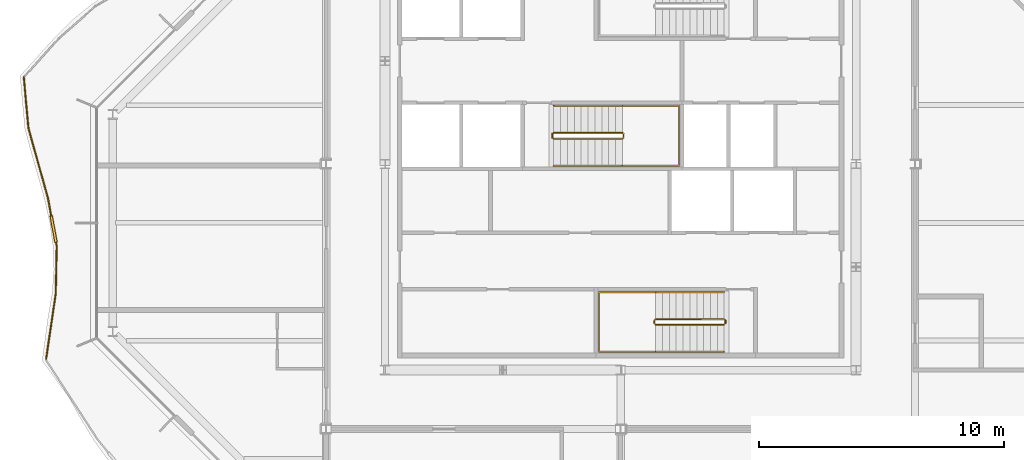
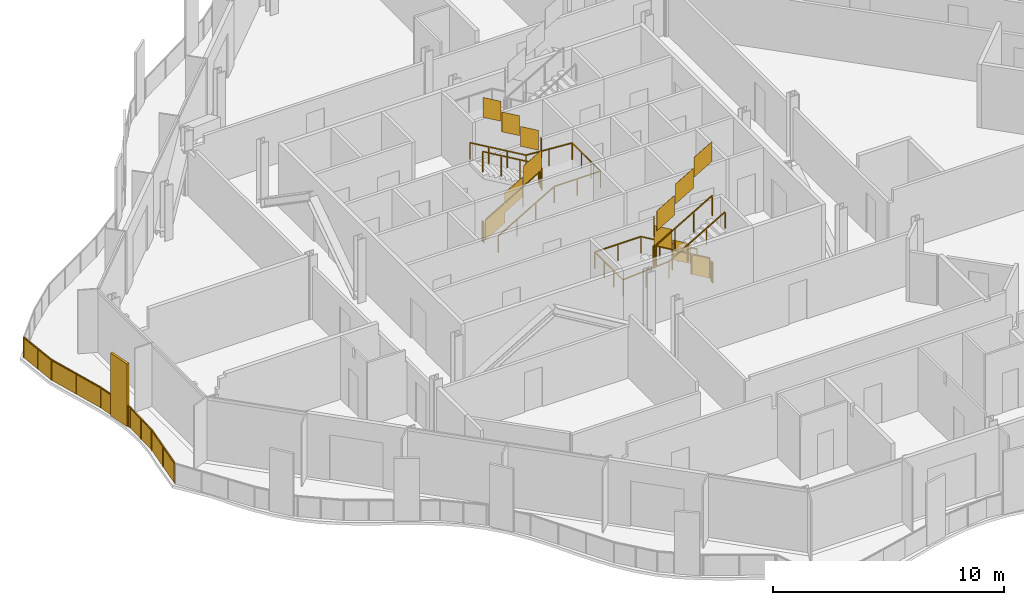
# One storey, part 14 of 17: 7 railings.
"""IFC4 building model written with IfcOpenShell, lengths in metres."""

import ifcopenshell
import ifcopenshell.guid

model = None  # the IFC model being written
_history = None  # IfcOwnerHistory: only IFC2X3 demands one
_inside = {}  # id of a spatial element -> (the spatial element, [elements in it])
_under = {}  # id of a project, library or spatial element -> (it, [spatial elements below it])
_declared = {}  # id of a project -> (the project, [libraries it declares])
_typed = {}  # id of a type object -> (the type object, [elements of that type])
_made_of = {}  # id of a material, layer set ... -> (it, [elements and type objects made of it])


def new_model(schema):
    """Start an empty IFC model of exactly this schema.

    Asked for "IFC4X3", IfcOpenShell would pick the latest addendum, in which some entities
    have other attributes; the version numbers below select the first issue.
    IFC2X3 requires an IfcOwnerHistory on every rooted entity: one is made here for all.
    """
    global model, _history
    if schema == "IFC4X3":
        model = ifcopenshell.file(schema_version=(4, 3, 0, 0))
    else:
        model = ifcopenshell.file(schema=schema)
    _inside.clear()
    _under.clear()
    _declared.clear()
    _typed.clear()
    _made_of.clear()
    _history = None
    if model.schema == "IFC2X3":
        org = make("IfcOrganization", Name="unknown")
        user = make(
            "IfcPersonAndOrganization",
            ThePerson=make("IfcPerson", FamilyName="unknown"),
            TheOrganization=org,
        )
        app = make(
            "IfcApplication",
            ApplicationDeveloper=org,
            Version="unknown",
            ApplicationFullName="unknown",
            ApplicationIdentifier="unknown",
        )
        _history = make(
            "IfcOwnerHistory",
            OwningUser=user,
            OwningApplication=app,
            ChangeAction="ADDED",
            CreationDate=0,
        )
    return model


def make(cls, **values):
    """One entity of the class cls with the attributes given. An attribute that is None is left unset."""
    return model.create_entity(
        cls, **{name: value for name, value in values.items() if value is not None}
    )


def rooted(cls, **values):
    """An entity with a GlobalId (a new one), such as an element, a storey or a relation."""
    return make(cls, GlobalId=ifcopenshell.guid.new(), OwnerHistory=_history, **values)


def si_unit(unit_type, name, prefix=None):
    """IfcSIUnit, for example si_unit("LENGTHUNIT", "METRE", prefix="MILLI")."""
    return make("IfcSIUnit", UnitType=unit_type, Prefix=prefix, Name=name)


def assignment(units):
    """IfcUnitAssignment: the units of a project."""
    return None if units is None else make("IfcUnitAssignment", Units=units)


def point(xyz):
    """IfcCartesianPoint."""
    return None if xyz is None else make("IfcCartesianPoint", Coordinates=xyz)


def direction(xyz):
    """IfcDirection."""
    return None if xyz is None else make("IfcDirection", DirectionRatios=xyz)


def frame(location, z_axis=None, x_axis=None):
    """IfcAxis2Placement3D, a coordinate frame: its origin and axes. An axis left out is left unset."""
    return make(
        "IfcAxis2Placement3D",
        Location=point(location),
        Axis=direction(z_axis),
        RefDirection=direction(x_axis),
    )


def frame_2d(location, x_axis=None):
    """IfcAxis2Placement2D, a coordinate frame in the plane: its origin and x axis."""
    return make(
        "IfcAxis2Placement2D", Location=point(location), RefDirection=direction(x_axis)
    )


def origin():
    """The frame at (0, 0, 0) with its axes left unset."""
    return frame((0.0, 0.0, 0.0))


def origin_2d():
    """The frame at (0, 0) in the plane with its x axis left unset."""
    return frame_2d((0.0, 0.0))


def place(relative_to, where):
    """IfcLocalPlacement: puts the frame where relative to a parent placement (None: the world)."""
    return make(
        "IfcLocalPlacement", PlacementRelTo=relative_to, RelativePlacement=where
    )


def context(
    kind, dimensions, precision=None, world=None, true_north=None, identifier=None
):
    """IfcGeometricRepresentationContext, for example the 3D "Model" context."""
    return make(
        "IfcGeometricRepresentationContext",
        ContextIdentifier=identifier,
        ContextType=kind,
        CoordinateSpaceDimension=dimensions,
        Precision=precision,
        WorldCoordinateSystem=world,
        TrueNorth=true_north,
    )


def subcontext(parent, identifier, kind, view, scale=None):
    """IfcGeometricRepresentationSubContext, for example "Body" below "Model"."""
    return make(
        "IfcGeometricRepresentationSubContext",
        ContextIdentifier=identifier,
        ContextType=kind,
        ParentContext=parent,
        TargetScale=scale,
        TargetView=view,
    )


def project(units=None, contexts=None):
    """IfcProject with its units and contexts."""
    return rooted(
        "IfcProject",
        Name="project",
        RepresentationContexts=contexts,
        UnitsInContext=assignment(units),
    )


def spatial(cls, under=None, at=None, **own):
    """A site, building, storey or space (cls), placed at a placement, below another one or the project."""
    s = rooted(cls, ObjectPlacement=at, **own)
    if under is not None:
        _under.setdefault(under.id(), (under, []))[1].append(s)
    return s


def polyline(points):
    """IfcPolyline through the points."""
    return make("IfcPolyline", Points=[point(p) for p in points])


def profile(cls, at=None, kind="AREA", **sizes):
    """A parametric profile (cls). Its sizes go by their IFC names, for example OverallWidth=200.0."""
    return make(cls, ProfileType=kind, Position=at, **sizes)


def rectangle(**sizes):
    """IfcRectangleProfileDef."""
    return profile("IfcRectangleProfileDef", **sizes)


def outline(outer, holes=None, kind="AREA"):
    """IfcArbitraryClosedProfileDef: a profile drawn as a closed curve; with holes, ...WithVoids."""
    if holes is None:
        return make("IfcArbitraryClosedProfileDef", ProfileType=kind, OuterCurve=outer)
    return make(
        "IfcArbitraryProfileDefWithVoids",
        ProfileType=kind,
        OuterCurve=outer,
        InnerCurves=holes,
    )


def extrude(swept, where, along, depth):
    """IfcExtrudedAreaSolid: the profile swept, set in the frame where, extruded along a direction by depth."""
    return make(
        "IfcExtrudedAreaSolid",
        SweptArea=swept,
        Position=where,
        ExtrudedDirection=direction(along),
        Depth=depth,
    )


def shape(context_of_items, identifier, shape_type, items):
    """IfcShapeRepresentation: the items that make up one representation, for example the "Body"."""
    return make(
        "IfcShapeRepresentation",
        ContextOfItems=context_of_items,
        RepresentationIdentifier=identifier,
        RepresentationType=shape_type,
        Items=items,
    )


def material(Name=None, Category=None):
    """IfcMaterial."""
    return make("IfcMaterial", Name=Name, Category=Category)


def made_of(thing, what):
    """Note that an element or type object is made of a material, layer set ...; save() writes the relation."""
    if what is not None:
        _made_of.setdefault(what.id(), (what, []))[1].append(thing)
    return thing


def type_object(cls, material=None, **own):
    """A type object (cls), such as IfcWallType, which elements share."""
    return made_of(rooted(cls, **own), material)


def element(
    cls,
    number,
    at=None,
    inside=None,
    cuts=None,
    type_object=None,
    material=None,
    context=None,
    identifier="Body",
    shape_type=None,
    held_by="IfcProductDefinitionShape",
    body=None,
    shapes=None,
    **own,
):
    """One element of the class cls, such as IfcWall. Its Tag is "e" and its number.

    at: its placement. inside: the storey or other place that contains it. cuts: it is an
    opening in that element (IfcRelVoidsElement). A single representation is given by context,
    identifier, shape_type and body (its items); several are given by shapes. held_by: the class
    of the entity that holds the representations. save() writes the other relations.
    """
    e = rooted(cls, Tag="e%d" % number, ObjectPlacement=at, **own)
    if body is not None:
        shapes = [shape(context, identifier, shape_type, body)]
    if shapes is not None:
        e.Representation = make(held_by, Representations=shapes)
    if inside is not None:
        _inside.setdefault(inside.id(), (inside, []))[1].append(e)
    if cuts is not None:
        rooted(
            "IfcRelVoidsElement", RelatingBuildingElement=cuts, RelatedOpeningElement=e
        )
    if type_object is not None:
        _typed.setdefault(type_object.id(), (type_object, []))[1].append(e)
    return made_of(e, material)


def aggregate(whole, parts):
    """IfcRelAggregates: a whole, such as a stair, and the parts it consists of."""
    return rooted("IfcRelAggregates", RelatingObject=whole, RelatedObjects=parts)


def save(model, path):
    """Write the relations noted so far, then the file.

    IfcRelAggregates (storeys below a building ...), IfcRelContainedInSpatialStructure (elements
    in a storey), IfcRelDefinesByType, IfcRelAssociatesMaterial and IfcRelDeclares: one each for
    every whole, place, type object, material and project.
    """
    for whole, parts in _under.values():
        aggregate(whole, parts)
    for where, things in _inside.values():
        rooted(
            "IfcRelContainedInSpatialStructure",
            RelatedElements=things,
            RelatingStructure=where,
        )
    for kind, things in _typed.values():
        rooted("IfcRelDefinesByType", RelatedObjects=things, RelatingType=kind)
    for what, things in _made_of.values():
        rooted("IfcRelAssociatesMaterial", RelatedObjects=things, RelatingMaterial=what)
    for by, libraries in _declared.values():
        rooted("IfcRelDeclares", RelatingContext=by, RelatedDefinitions=libraries)
    model.write(path)


model = new_model("IFC4")

# Units and contexts
model_context = context("Model", 3, precision=1e-05, world=origin(), true_north=direction((0.0, 1.0)))
body_context = subcontext(model_context, "Body", "Model", "MODEL_VIEW")
ifc_project = project(units=[si_unit("LENGTHUNIT", "METRE"), si_unit("AREAUNIT", "SQUARE_METRE"), si_unit("VOLUMEUNIT", "CUBIC_METRE"), si_unit("PLANEANGLEUNIT", "RADIAN"), si_unit("MASSUNIT", "GRAM", prefix="KILO")], contexts=[model_context])

# Site, building, storey
site_placement = place(None, origin())
site = spatial("IfcSite", under=ifc_project, at=site_placement, CompositionType="ELEMENT")
building_placement = place(site_placement, origin())
building = spatial("IfcBuilding", under=site, at=building_placement, Name="Cairn Pilgrim Tower", CompositionType="ELEMENT")
storey_placement = place(building_placement, frame((0.0, 0.0, 257.39990234375)))
storey = spatial("IfcBuildingStorey", under=building, at=storey_placement, Name="L66", CompositionType="ELEMENT", Elevation=257.39990234375)

# Railings
ifc_material_1 = material(Name="Bronze anodised aluminium rail, posts and fin screens with laminated glass infill", Category="aluminium")
railing_type_1 = type_object("IfcRailingType", Name="BALCONY GUARD WITH FIN SCREENS", PredefinedType="GUARDRAIL", material=ifc_material_1)
railing_1_placement = place(storey_placement, frame((-17.125, 5.94091796875, 0.0)))
element("IfcRailing", 1, at=railing_1_placement, inside=storey, type_object=railing_type_1, Name="Balcony guard BGF-7 with fin screens", PredefinedType="GUARDRAIL", context=body_context, shape_type="SweptSolid", body=[
    extrude(rectangle(XDim=0.050048828125, YDim=0.050048828125, at=origin_2d()), frame((0.0, 0.0, 1.0751953125), z_axis=(0.089700508569, -0.99596878403, 0.0), x_axis=(0.99596878403, 0.089700508569, 0.0)), (0.0, 0.0, 1.0), 2.08203125),
    extrude(rectangle(XDim=0.050048828125, YDim=0.050048828125, at=origin_2d()), frame((0.186767578125, -2.07373046875, 1.0751953125), z_axis=(0.268445787799, -0.963294793411, 0.0), x_axis=(0.963294793411, 0.268445787799, 0.0)), (0.0, 0.0, 1.0), 2.98291015625),
    extrude(rectangle(XDim=1.10009765625, YDim=0.110107421875, at=origin_2d()), frame((1.21533203125, -6.2001953125, 0.0), z_axis=(0.0, 0.0, 1.0), x_axis=(0.178765682425, -0.983891676348, 0.0)), (0.0, 0.0, 1.0), 3.300048828125),
    extrude(rectangle(XDim=0.050048828125, YDim=0.050048828125, at=origin_2d()), frame((0.987548828125, -4.947265625, 1.0751953125), z_axis=(0.178765682425, -0.983891676348, 0.0), x_axis=(0.983891676348, 0.178765682425, 0.0)), (0.0, 0.0, 1.0), 0.7236328125),
    extrude(rectangle(XDim=0.050048828125, YDim=0.050048828125, at=origin_2d()), frame((1.3134765625, -6.741455078125, 1.0751953125), z_axis=(0.178765682425, -0.983891676348, 0.0), x_axis=(0.983891676348, 0.178765682425, 0.0)), (0.0, 0.0, 1.0), 0.14990234375),
    extrude(rectangle(XDim=0.050048828125, YDim=0.050048828125, at=origin_2d()), frame((1.34033203125, -6.888916015625, 1.0751953125), z_axis=(-0.020209305606, -0.999795771129, 0.0), x_axis=(0.999795771129, -0.020209305606, 0.0)), (0.0, 0.0, 1.0), 1.945068359375),
    extrude(rectangle(XDim=0.050048828125, YDim=0.050048828125, at=origin_2d()), frame((1.301025390625, -8.83349609375, 1.0751953125), z_axis=(-0.146349262135, -0.989232982402, 0.0), x_axis=(0.989232982402, -0.146349262135, 0.0)), (0.0, 0.0, 1.0), 2.662353515625),
    extrude(rectangle(XDim=0.050048828125, YDim=0.050048828125, at=origin_2d()), origin(), (0.0, 0.0, 1.0), 1.050048828125),
    extrude(rectangle(XDim=0.050048828125, YDim=0.050048828125, at=origin_2d()), frame((0.09326171875, -1.036865234375, 0.0)), (0.0, 0.0, 1.0), 1.050048828125),
    extrude(rectangle(XDim=0.050048828125, YDim=0.050048828125, at=origin_2d()), frame((0.186767578125, -2.07373046875, 0.0)), (0.0, 0.0, 1.0), 1.050048828125),
    extrude(rectangle(XDim=0.050048828125, YDim=0.050048828125, at=origin_2d()), frame((0.587158203125, -3.510498046875, 0.0)), (0.0, 0.0, 1.0), 1.050048828125),
    extrude(rectangle(XDim=0.050048828125, YDim=0.050048828125, at=origin_2d()), frame((0.987548828125, -4.947265625, 0.0)), (0.0, 0.0, 1.0), 1.050048828125),
    extrude(rectangle(XDim=0.050048828125, YDim=0.050048828125, at=origin_2d()), frame((1.1123046875, -5.634521484375, 0.0)), (0.0, 0.0, 1.0), 1.050048828125),
    extrude(rectangle(XDim=0.050048828125, YDim=0.050048828125, at=origin_2d()), frame((1.318115234375, -6.76611328125, 0.0)), (0.0, 0.0, 1.0), 1.050048828125),
    extrude(rectangle(XDim=0.050048828125, YDim=0.050048828125, at=origin_2d()), frame((1.34033203125, -6.888916015625, 0.0)), (0.0, 0.0, 1.0), 1.050048828125),
    extrude(rectangle(XDim=0.050048828125, YDim=0.050048828125, at=origin_2d()), frame((1.32080078125, -7.861328125, 0.0)), (0.0, 0.0, 1.0), 1.050048828125),
    extrude(rectangle(XDim=0.050048828125, YDim=0.050048828125, at=origin_2d()), frame((1.301025390625, -8.83349609375, 0.0)), (0.0, 0.0, 1.0), 1.050048828125),
    extrude(rectangle(XDim=0.050048828125, YDim=0.050048828125, at=origin_2d()), frame((1.106201171875, -10.150390625, 0.0)), (0.0, 0.0, 1.0), 1.050048828125),
    extrude(rectangle(XDim=0.050048828125, YDim=0.050048828125, at=origin_2d()), frame((0.911376953125, -11.46728515625, 0.0)), (0.0, 0.0, 1.0), 1.050048828125),
    extrude(outline(polyline([(0.02490234375, 0.0), (1.01611328125, 0.0), (1.01611328125, 1.050048828125), (0.02490234375, 1.050048828125), (0.02490234375, 0.0)])), frame((0.005859375, 0.00048828125, 0.0), z_axis=(-0.99596878403, -0.089700508569, 0.0), x_axis=(0.089700508569, -0.99596878403, 0.0)), (0.0, 0.0, 1.0), 0.011962890625),
    extrude(outline(polyline([(0.02490234375, 0.0), (1.01611328125, 0.0), (1.01611328125, 1.050048828125), (0.02490234375, 1.050048828125), (0.02490234375, 0.0)])), frame((0.099365234375, -1.036376953125, 0.0), z_axis=(-0.99596878403, -0.089700508569, 0.0), x_axis=(0.089700508569, -0.99596878403, 0.0)), (0.0, 0.0, 1.0), 0.011962890625),
    extrude(outline(polyline([(0.02490234375, 0.0), (1.466552734375, 0.0), (1.466552734375, 1.050048828125), (0.02490234375, 1.050048828125), (0.02490234375, 0.0)])), frame((0.192626953125, -2.072021484375, 0.0), z_axis=(-0.963294793411, -0.268445787799, 0.0), x_axis=(0.268445787799, -0.963294793411, 0.0)), (0.0, 0.0, 1.0), 0.011962890625),
    extrude(outline(polyline([(0.02490234375, 0.0), (1.466552734375, 0.0), (1.466552734375, 1.050048828125), (0.02490234375, 1.050048828125), (0.02490234375, 0.0)])), frame((0.593017578125, -3.5087890625, 0.0), z_axis=(-0.963294793411, -0.268445787799, 0.0), x_axis=(0.268445787799, -0.963294793411, 0.0)), (0.0, 0.0, 1.0), 0.011962890625),
    extrude(outline(polyline([(0.02490234375, 0.0), (0.673583984375, 0.0), (0.673583984375, 1.050048828125), (0.02490234375, 1.050048828125), (0.02490234375, 0.0)])), frame((0.993408203125, -4.9462890625, 0.0), z_axis=(-0.983891676348, -0.178765682425, 0.0), x_axis=(0.178765682425, -0.983891676348, 0.0)), (0.0, 0.0, 1.0), 0.011962890625),
    extrude(outline(polyline([(0.02490234375, 0.0), (0.099853515625, 0.0), (0.099853515625, 1.050048828125), (0.02490234375, 1.050048828125), (0.02490234375, 0.0)])), frame((1.323974609375, -6.764892578125, 0.0), z_axis=(-0.983891676348, -0.178765682425, 0.0), x_axis=(0.178765682425, -0.983891676348, 0.0)), (0.0, 0.0, 1.0), 0.011962890625),
    extrude(outline(polyline([(0.02490234375, 0.0), (0.947509765625, 0.0), (0.947509765625, 1.050048828125), (0.02490234375, 1.050048828125), (0.02490234375, 0.0)])), frame((1.34619140625, -6.888916015625, 0.0), z_axis=(-0.999795771129, 0.020209305606, 0.0), x_axis=(-0.020209305606, -0.999795771129, 0.0)), (0.0, 0.0, 1.0), 0.011962890625),
    extrude(outline(polyline([(0.02490234375, 0.0), (0.947509765625, 0.0), (0.947509765625, 1.050048828125), (0.02490234375, 1.050048828125), (0.02490234375, 0.0)])), frame((1.32666015625, -7.861328125, 0.0), z_axis=(-0.999795771129, 0.020209305606, 0.0), x_axis=(-0.020209305606, -0.999795771129, 0.0)), (0.0, 0.0, 1.0), 0.011962890625),
    extrude(outline(polyline([(0.02490234375, 0.0), (1.30615234375, 0.0), (1.30615234375, 1.050048828125), (0.02490234375, 1.050048828125), (0.02490234375, 0.0)])), frame((1.306884765625, -8.83447265625, 0.0), z_axis=(-0.989232982402, 0.146349262135, 0.0), x_axis=(-0.146349262135, -0.989232982402, 0.0)), (0.0, 0.0, 1.0), 0.011962890625),
    extrude(outline(polyline([(0.02490234375, 0.0), (1.30615234375, 0.0), (1.30615234375, 1.050048828125), (0.02490234375, 1.050048828125), (0.02490234375, 0.0)])), frame((1.112060546875, -10.1513671875, 0.0), z_axis=(-0.989232982402, 0.146349262135, 0.0), x_axis=(-0.146349262135, -0.989232982402, 0.0)), (0.0, 0.0, 1.0), 0.011962890625),
])
ifc_material_2 = material(Name="Painted steel", Category="steel")
railing_type_2 = type_object("IfcRailingType", Name="STAIR GUARD 1100", PredefinedType="GUARDRAIL", material=ifc_material_2)
railing_2_placement = place(storey_placement, frame((11.425048828125, -3.925048828125, 0.163818359375)))
element("IfcRailing", 2, at=railing_2_placement, inside=storey, type_object=railing_type_2, Name="L66 ST-A stair guard 1", PredefinedType="GUARDRAIL", context=body_context, shape_type="SweptSolid", body=[
    extrude(rectangle(XDim=0.048095703125, YDim=0.048095703125, at=origin_2d()), frame((0.0, 0.0, 1.076171875), z_axis=(-0.863393664356, 0.0, 0.504530851732), x_axis=(0.0, -1.0, 0.0)), (0.0, 0.0, 1.0), 3.2431640625),
    extrude(rectangle(XDim=0.048095703125, YDim=0.048095703125, at=origin_2d()), frame((-2.800048828125, 0.0, 2.71240234375), z_axis=(-0.707106781187, -0.707106781187, 0.0), x_axis=(0.707106781187, -0.707106781187, 0.0)), (0.0, 0.0, 1.0), 0.07080078125),
    extrude(rectangle(XDim=0.048095703125, YDim=0.048095703125, at=origin_2d()), frame((-2.85009765625, -0.050048828125, 2.71240234375), z_axis=(0.0, -1.0, 0.0), x_axis=(1.0, 0.0, 0.0)), (0.0, 0.0, 1.0), 0.125),
    extrude(rectangle(XDim=0.048095703125, YDim=0.048095703125, at=origin_2d()), frame((-2.85009765625, -0.175048828125, 2.71240234375), z_axis=(0.280916556609, -0.279546231943, 0.91811752648), x_axis=(0.705375805398, 0.708833529934, 0.0)), (0.0, 0.0, 1.0), 0.17822265625),
    extrude(rectangle(XDim=0.048095703125, YDim=0.048095703125, at=origin_2d()), frame((-2.800048828125, -0.224853515625, 2.8759765625), z_axis=(0.863360870873, 0.0, 0.504586966384), x_axis=(0.0, 1.0, 0.0)), (0.0, 0.0, 1.0), 3.2431640625),
    extrude(rectangle(XDim=0.0419921875, YDim=0.0419921875, at=origin_2d()), origin(), (0.0, 0.0, 1.0), 1.052001953125),
    extrude(rectangle(XDim=0.0419921875, YDim=0.0419921875, at=origin_2d()), frame((-0.933349609375, 0.0, 0.54541015625)), (0.0, 0.0, 1.0), 1.052001953125),
    extrude(rectangle(XDim=0.0419921875, YDim=0.0419921875, at=origin_2d()), frame((-1.86669921875, 0.0, 1.0908203125)), (0.0, 0.0, 1.0), 1.052001953125),
    extrude(rectangle(XDim=0.0419921875, YDim=0.0419921875, at=origin_2d()), frame((-2.800048828125, 0.0, 1.63623046875)), (0.0, 0.0, 1.0), 1.052001953125),
    extrude(rectangle(XDim=0.0419921875, YDim=0.0419921875, at=origin_2d()), frame((-2.85009765625, -0.050048828125, 1.63623046875)), (0.0, 0.0, 1.0), 1.052001953125),
    extrude(rectangle(XDim=0.0419921875, YDim=0.0419921875, at=origin_2d()), frame((-2.85009765625, -0.175048828125, 1.63623046875)), (0.0, 0.0, 1.0), 1.052001953125),
    extrude(rectangle(XDim=0.0419921875, YDim=0.0419921875, at=origin_2d()), frame((-2.800048828125, -0.224853515625, 1.7998046875)), (0.0, 0.0, 1.0), 1.052001953125),
    extrude(rectangle(XDim=0.0419921875, YDim=0.0419921875, at=origin_2d()), frame((-1.86669921875, -0.224853515625, 2.34521484375)), (0.0, 0.0, 1.0), 1.052001953125),
    extrude(rectangle(XDim=0.0419921875, YDim=0.0419921875, at=origin_2d()), frame((-0.933349609375, -0.224853515625, 2.890869140625)), (0.0, 0.0, 1.0), 1.052001953125),
    extrude(rectangle(XDim=0.0419921875, YDim=0.0419921875, at=origin_2d()), frame((0.0, -0.224853515625, 3.436279296875)), (0.0, 0.0, 1.0), 1.052001953125),
    extrude(outline(polyline([(0.02099609375, 0.01220703125), (0.912353515625, 0.533203125), (0.912353515625, 1.585205078125), (0.02099609375, 1.064208984375), (0.02099609375, 0.01220703125)])), frame((0.0, -0.005859375, 0.0), z_axis=(0.0, 1.0, 0.0), x_axis=(-1.0, 0.0, 0.0)), (0.0, 0.0, 1.0), 0.011962890625),
    extrude(outline(polyline([(0.02099609375, 0.5576171875), (0.912353515625, 1.07861328125), (0.912353515625, 2.130615234375), (0.02099609375, 1.609619140625), (0.02099609375, 0.5576171875)])), frame((-0.933349609375, -0.005859375, 0.54541015625), z_axis=(0.0, 1.0, 0.0), x_axis=(-1.0, 0.0, 0.0)), (0.0, 0.0, 1.0), 0.011962890625),
    extrude(outline(polyline([(0.02099609375, 1.10302734375), (0.912353515625, 1.6240234375), (0.912353515625, 2.676025390625), (0.02099609375, 2.155029296875), (0.02099609375, 1.10302734375)])), frame((-1.86669921875, -0.005859375, 1.0908203125), z_axis=(0.0, 1.0, 0.0), x_axis=(-1.0, 0.0, 0.0)), (0.0, 0.0, 1.0), 0.011962890625),
    extrude(outline(polyline([(0.02099609375, 1.63623046875), (0.10400390625, 1.63623046875), (0.10400390625, 2.688232421875), (0.02099609375, 2.688232421875), (0.02099609375, 1.63623046875)])), frame((-2.84423828125, -0.050048828125, 1.63623046875), z_axis=(-1.0, 0.0, 0.0), x_axis=(0.0, -1.0, 0.0)), (0.0, 0.0, 1.0), 0.011962890625),
    extrude(outline(polyline([(0.02099609375, 1.81201171875), (0.912353515625, 2.3330078125), (0.912353515625, 3.385009765625), (0.02099609375, 2.864013671875), (0.02099609375, 1.81201171875)])), frame((-2.800048828125, -0.21875, 1.7998046875), z_axis=(0.0, -1.0, 0.0), x_axis=(1.0, 0.0, 0.0)), (0.0, 0.0, 1.0), 0.011962890625),
    extrude(outline(polyline([(0.02099609375, 2.357666015625), (0.912353515625, 2.87841796875), (0.912353515625, 3.930419921875), (0.02099609375, 3.40966796875), (0.02099609375, 2.357666015625)])), frame((-1.86669921875, -0.21875, 2.34521484375), z_axis=(0.0, -1.0, 0.0), x_axis=(1.0, 0.0, 0.0)), (0.0, 0.0, 1.0), 0.011962890625),
    extrude(outline(polyline([(0.02099609375, 2.903076171875), (0.912353515625, 3.424072265625), (0.912353515625, 4.47607421875), (0.02099609375, 3.955078125), (0.02099609375, 2.903076171875)])), frame((-0.933349609375, -0.21875, 2.890869140625), z_axis=(0.0, -1.0, 0.0), x_axis=(1.0, 0.0, 0.0)), (0.0, 0.0, 1.0), 0.011962890625),
])
railing_3_placement = place(storey_placement, frame((11.47509765625, -3.97509765625, 0.0)))
element("IfcRailing", 3, at=railing_3_placement, inside=storey, type_object=railing_type_2, Name="L66 ST-A stair guard 2", PredefinedType="GUARDRAIL", context=body_context, shape_type="SweptSolid", body=[
    extrude(rectangle(XDim=0.048095703125, YDim=0.048095703125, at=origin_2d()), frame((0.0, 0.0, 1.076171875), z_axis=(0.0, -1.0, 0.0), x_axis=(1.0, 0.0, 0.0)), (0.0, 0.0, 1.0), 0.125),
    extrude(rectangle(XDim=0.0419921875, YDim=0.0419921875, at=origin_2d()), origin(), (0.0, 0.0, 1.0), 1.052001953125),
    extrude(rectangle(XDim=0.0419921875, YDim=0.0419921875, at=origin_2d()), frame((0.0, -0.125, 0.0)), (0.0, 0.0, 1.0), 1.052001953125),
    extrude(outline(polyline([(0.02099609375, 0.0), (0.10400390625, 0.0), (0.10400390625, 1.052001953125), (0.02099609375, 1.052001953125), (0.02099609375, 0.0)])), frame((0.005859375, 0.0, 0.0), z_axis=(-1.0, 0.0, 0.0), x_axis=(0.0, -1.0, 0.0)), (0.0, 0.0, 1.0), 0.011962890625),
])
railing_4_placement = place(storey_placement, frame((4.47509765625, 3.425048828125, 0.163818359375)))
element("IfcRailing", 4, at=railing_4_placement, inside=storey, type_object=railing_type_2, Name="L66 ST-B stair guard 1", PredefinedType="GUARDRAIL", context=body_context, shape_type="SweptSolid", body=[
    extrude(rectangle(XDim=0.048095703125, YDim=0.048095703125, at=origin_2d()), frame((0.0, 0.0, 1.076171875), z_axis=(0.863374499697, 0.0, 0.504563646405), x_axis=(0.0, 1.0, 0.0)), (0.0, 0.0, 1.0), 3.242919921875),
    extrude(rectangle(XDim=0.048095703125, YDim=0.048095703125, at=origin_2d()), frame((2.7998046875, 0.0, 2.71240234375), z_axis=(0.707106781187, 0.707106781187, 0.0), x_axis=(-0.707106781187, 0.707106781187, 0.0)), (0.0, 0.0, 1.0), 0.07080078125),
    extrude(rectangle(XDim=0.048095703125, YDim=0.048095703125, at=origin_2d()), frame((2.849853515625, 0.050048828125, 2.71240234375), z_axis=(0.0, 1.0, 0.0), x_axis=(-1.0, 0.0, 0.0)), (0.0, 0.0, 1.0), 0.14990234375),
    extrude(rectangle(XDim=0.048095703125, YDim=0.048095703125, at=origin_2d()), frame((2.849853515625, 0.199951171875, 2.71240234375), z_axis=(-0.280808744504, 0.280808744504, 0.917765164963), x_axis=(-0.707106781187, -0.707106781187, 0.0)), (0.0, 0.0, 1.0), 0.17822265625),
    extrude(rectangle(XDim=0.048095703125, YDim=0.048095703125, at=origin_2d()), frame((2.7998046875, 0.25, 2.8759765625), z_axis=(-0.863341702679, 0.0, 0.504619762213), x_axis=(0.0, -1.0, 0.0)), (0.0, 0.0, 1.0), 3.242919921875),
    extrude(rectangle(XDim=0.0419921875, YDim=0.0419921875, at=origin_2d()), origin(), (0.0, 0.0, 1.0), 1.052001953125),
    extrude(rectangle(XDim=0.0419921875, YDim=0.0419921875, at=origin_2d()), frame((0.933349609375, 0.0, 0.54541015625)), (0.0, 0.0, 1.0), 1.052001953125),
    extrude(rectangle(XDim=0.0419921875, YDim=0.0419921875, at=origin_2d()), frame((1.866455078125, 0.0, 1.0908203125)), (0.0, 0.0, 1.0), 1.052001953125),
    extrude(rectangle(XDim=0.0419921875, YDim=0.0419921875, at=origin_2d()), frame((2.7998046875, 0.0, 1.63623046875)), (0.0, 0.0, 1.0), 1.052001953125),
    extrude(rectangle(XDim=0.0419921875, YDim=0.0419921875, at=origin_2d()), frame((2.849853515625, 0.050048828125, 1.63623046875)), (0.0, 0.0, 1.0), 1.052001953125),
    extrude(rectangle(XDim=0.0419921875, YDim=0.0419921875, at=origin_2d()), frame((2.849853515625, 0.199951171875, 1.63623046875)), (0.0, 0.0, 1.0), 1.052001953125),
    extrude(rectangle(XDim=0.0419921875, YDim=0.0419921875, at=origin_2d()), frame((2.7998046875, 0.25, 1.7998046875)), (0.0, 0.0, 1.0), 1.052001953125),
    extrude(rectangle(XDim=0.0419921875, YDim=0.0419921875, at=origin_2d()), frame((1.866455078125, 0.25, 2.34521484375)), (0.0, 0.0, 1.0), 1.052001953125),
    extrude(rectangle(XDim=0.0419921875, YDim=0.0419921875, at=origin_2d()), frame((0.933349609375, 0.25, 2.890869140625)), (0.0, 0.0, 1.0), 1.052001953125),
    extrude(rectangle(XDim=0.0419921875, YDim=0.0419921875, at=origin_2d()), frame((0.0, 0.25, 3.436279296875)), (0.0, 0.0, 1.0), 1.052001953125),
    extrude(outline(polyline([(0.02099609375, 0.01220703125), (0.912353515625, 0.533203125), (0.912353515625, 1.585205078125), (0.02099609375, 1.064208984375), (0.02099609375, 0.01220703125)])), frame((0.0, 0.005859375, 0.0), z_axis=(0.0, -1.0, 0.0), x_axis=(1.0, 0.0, 0.0)), (0.0, 0.0, 1.0), 0.011962890625),
    extrude(outline(polyline([(0.02099609375, 0.5576171875), (0.912353515625, 1.07861328125), (0.912353515625, 2.130615234375), (0.02099609375, 1.609619140625), (0.02099609375, 0.5576171875)])), frame((0.933349609375, 0.005859375, 0.54541015625), z_axis=(0.0, -1.0, 0.0), x_axis=(1.0, 0.0, 0.0)), (0.0, 0.0, 1.0), 0.011962890625),
    extrude(outline(polyline([(0.02099609375, 1.10302734375), (0.912353515625, 1.6240234375), (0.912353515625, 2.676025390625), (0.02099609375, 2.155029296875), (0.02099609375, 1.10302734375)])), frame((1.866455078125, 0.005859375, 1.0908203125), z_axis=(0.0, -1.0, 0.0), x_axis=(1.0, 0.0, 0.0)), (0.0, 0.0, 1.0), 0.011962890625),
    extrude(outline(polyline([(0.02099609375, 1.63623046875), (0.12890625, 1.63623046875), (0.12890625, 2.688232421875), (0.02099609375, 2.688232421875), (0.02099609375, 1.63623046875)])), frame((2.84375, 0.050048828125, 1.63623046875), z_axis=(1.0, 0.0, 0.0), x_axis=(0.0, 1.0, 0.0)), (0.0, 0.0, 1.0), 0.011962890625),
    extrude(outline(polyline([(0.02099609375, 1.81201171875), (0.912353515625, 2.3330078125), (0.912353515625, 3.385009765625), (0.02099609375, 2.864013671875), (0.02099609375, 1.81201171875)])), frame((2.7998046875, 0.244140625, 1.7998046875), z_axis=(0.0, 1.0, 0.0), x_axis=(-1.0, 0.0, 0.0)), (0.0, 0.0, 1.0), 0.011962890625),
    extrude(outline(polyline([(0.02099609375, 2.357666015625), (0.912353515625, 2.87841796875), (0.912353515625, 3.930419921875), (0.02099609375, 3.40966796875), (0.02099609375, 2.357666015625)])), frame((1.866455078125, 0.244140625, 2.34521484375), z_axis=(0.0, 1.0, 0.0), x_axis=(-1.0, 0.0, 0.0)), (0.0, 0.0, 1.0), 0.011962890625),
    extrude(outline(polyline([(0.02099609375, 2.903076171875), (0.912353515625, 3.424072265625), (0.912353515625, 4.47607421875), (0.02099609375, 3.955078125), (0.02099609375, 2.903076171875)])), frame((0.933349609375, 0.244140625, 2.890869140625), z_axis=(0.0, 1.0, 0.0), x_axis=(-1.0, 0.0, 0.0)), (0.0, 0.0, 1.0), 0.011962890625),
])
railing_5_placement = place(storey_placement, frame((4.425048828125, 3.47509765625, 0.0)))
element("IfcRailing", 5, at=railing_5_placement, inside=storey, type_object=railing_type_2, Name="L66 ST-B stair guard 2", PredefinedType="GUARDRAIL", context=body_context, shape_type="SweptSolid", body=[
    extrude(rectangle(XDim=0.048095703125, YDim=0.048095703125, at=origin_2d()), frame((0.0, 0.0, 1.076171875), z_axis=(0.0, 1.0, 0.0), x_axis=(-1.0, 0.0, 0.0)), (0.0, 0.0, 1.0), 0.14990234375),
    extrude(rectangle(XDim=0.0419921875, YDim=0.0419921875, at=origin_2d()), origin(), (0.0, 0.0, 1.0), 1.052001953125),
    extrude(rectangle(XDim=0.0419921875, YDim=0.0419921875, at=origin_2d()), frame((0.0, 0.14990234375, 0.0)), (0.0, 0.0, 1.0), 1.052001953125),
    extrude(outline(polyline([(0.02099609375, 0.0), (0.12890625, 0.0), (0.12890625, 1.052001953125), (0.02099609375, 1.052001953125), (0.02099609375, 0.0)])), frame((-0.005859375, 0.0, 0.0), z_axis=(1.0, 0.0, 0.0), x_axis=(0.0, 1.0, 0.0)), (0.0, 0.0, 1.0), 0.011962890625),
])
railing_type_3 = type_object("IfcRailingType", Name="STAIR HANDRAIL 900", PredefinedType="HANDRAIL", material=ifc_material_2)
railing_6_placement = place(storey_placement, frame((11.425048828125, -2.824951171875, 0.163818359375)))
element("IfcRailing", 6, at=railing_6_placement, inside=storey, type_object=railing_type_3, Name="L66 ST-A stair handrail 1", PredefinedType="HANDRAIL", context=body_context, shape_type="SweptSolid", body=[
    extrude(rectangle(XDim=0.048095703125, YDim=0.048095703125, at=origin_2d()), frame((0.0, 0.0, 0.8759765625), z_axis=(-0.863393664356, 0.0, 0.504530851732), x_axis=(0.0, -1.0, 0.0)), (0.0, 0.0, 1.0), 3.2431640625),
    extrude(rectangle(XDim=0.048095703125, YDim=0.048095703125, at=origin_2d()), frame((-2.800048828125, 0.0, 2.51220703125), z_axis=(-1.0, 0.0, 0.0), x_axis=(0.0, -1.0, 0.0)), (0.0, 0.0, 1.0), 2.300048828125),
    extrude(rectangle(XDim=0.048095703125, YDim=0.048095703125, at=origin_2d()), frame((-5.10009765625, 0.0, 2.51220703125), z_axis=(0.0, -1.0, 0.0), x_axis=(1.0, 0.0, 0.0)), (0.0, 0.0, 1.0), 2.425048828125),
    extrude(rectangle(XDim=0.048095703125, YDim=0.048095703125, at=origin_2d()), frame((-5.10009765625, -2.425048828125, 2.51220703125), z_axis=(0.997480687736, 0.0, 0.070938548008), x_axis=(0.0, 1.0, 0.0)), (0.0, 0.0, 1.0), 2.305908203125),
    extrude(rectangle(XDim=0.048095703125, YDim=0.048095703125, at=origin_2d()), frame((-2.800048828125, -2.425048828125, 2.67578125), z_axis=(0.863360870873, 0.0, 0.504586966384), x_axis=(0.0, 1.0, 0.0)), (0.0, 0.0, 1.0), 3.2431640625),
    extrude(rectangle(XDim=0.0419921875, YDim=0.0419921875, at=origin_2d()), origin(), (0.0, 0.0, 1.0), 0.851806640625),
    extrude(rectangle(XDim=0.0419921875, YDim=0.0419921875, at=origin_2d()), frame((-0.933349609375, 0.0, 0.54541015625)), (0.0, 0.0, 1.0), 0.851806640625),
    extrude(rectangle(XDim=0.0419921875, YDim=0.0419921875, at=origin_2d()), frame((-1.86669921875, 0.0, 1.0908203125)), (0.0, 0.0, 1.0), 0.851806640625),
    extrude(rectangle(XDim=0.0419921875, YDim=0.0419921875, at=origin_2d()), frame((-2.800048828125, 0.0, 1.63623046875)), (0.0, 0.0, 1.0), 0.851806640625),
    extrude(rectangle(XDim=0.0419921875, YDim=0.0419921875, at=origin_2d()), frame((-3.9501953125, 0.0, 1.63623046875)), (0.0, 0.0, 1.0), 0.851806640625),
    extrude(rectangle(XDim=0.0419921875, YDim=0.0419921875, at=origin_2d()), frame((-5.10009765625, 0.0, 1.63623046875)), (0.0, 0.0, 1.0), 0.851806640625),
    extrude(rectangle(XDim=0.0419921875, YDim=0.0419921875, at=origin_2d()), frame((-5.10009765625, -0.808349609375, 1.63623046875)), (0.0, 0.0, 1.0), 0.851806640625),
    extrude(rectangle(XDim=0.0419921875, YDim=0.0419921875, at=origin_2d()), frame((-5.10009765625, -1.61669921875, 1.63623046875)), (0.0, 0.0, 1.0), 0.851806640625),
    extrude(rectangle(XDim=0.0419921875, YDim=0.0419921875, at=origin_2d()), frame((-5.10009765625, -2.425048828125, 1.63623046875)), (0.0, 0.0, 1.0), 0.851806640625),
    extrude(rectangle(XDim=0.0419921875, YDim=0.0419921875, at=origin_2d()), frame((-3.9501953125, -2.425048828125, 1.718017578125)), (0.0, 0.0, 1.0), 0.851806640625),
    extrude(rectangle(XDim=0.0419921875, YDim=0.0419921875, at=origin_2d()), frame((-2.800048828125, -2.425048828125, 1.7998046875)), (0.0, 0.0, 1.0), 0.851806640625),
    extrude(rectangle(XDim=0.0419921875, YDim=0.0419921875, at=origin_2d()), frame((-1.86669921875, -2.425048828125, 2.34521484375)), (0.0, 0.0, 1.0), 0.851806640625),
    extrude(rectangle(XDim=0.0419921875, YDim=0.0419921875, at=origin_2d()), frame((-0.933349609375, -2.425048828125, 2.890869140625)), (0.0, 0.0, 1.0), 0.851806640625),
    extrude(rectangle(XDim=0.0419921875, YDim=0.0419921875, at=origin_2d()), frame((0.0, -2.425048828125, 3.436279296875)), (0.0, 0.0, 1.0), 0.851806640625),
])
railing_7_placement = place(storey_placement, frame((4.47509765625, 2.324951171875, 0.163818359375)))
element("IfcRailing", 7, at=railing_7_placement, inside=storey, type_object=railing_type_3, Name="L66 ST-B stair handrail 1", PredefinedType="HANDRAIL", context=body_context, shape_type="SweptSolid", body=[
    extrude(rectangle(XDim=0.048095703125, YDim=0.048095703125, at=origin_2d()), frame((0.0, 0.0, 0.8759765625), z_axis=(0.863374499697, 0.0, 0.504563646405), x_axis=(0.0, 1.0, 0.0)), (0.0, 0.0, 1.0), 3.242919921875),
    extrude(rectangle(XDim=0.048095703125, YDim=0.048095703125, at=origin_2d()), frame((2.7998046875, 0.0, 2.51220703125), z_axis=(1.0, 0.0, 0.0), x_axis=(0.0, 1.0, 0.0)), (0.0, 0.0, 1.0), 2.300048828125),
    extrude(rectangle(XDim=0.048095703125, YDim=0.048095703125, at=origin_2d()), frame((5.099853515625, 0.0, 2.51220703125), z_axis=(0.0, 1.0, 0.0), x_axis=(-1.0, 0.0, 0.0)), (0.0, 0.0, 1.0), 2.449951171875),
    extrude(rectangle(XDim=0.048095703125, YDim=0.048095703125, at=origin_2d()), frame((5.099853515625, 2.449951171875, 2.51220703125), z_axis=(-0.997480687736, 0.0, 0.070938548008), x_axis=(0.0, -1.0, 0.0)), (0.0, 0.0, 1.0), 2.305908203125),
    extrude(rectangle(XDim=0.048095703125, YDim=0.048095703125, at=origin_2d()), frame((2.7998046875, 2.449951171875, 2.67578125), z_axis=(-0.863341702679, 0.0, 0.504619762213), x_axis=(0.0, -1.0, 0.0)), (0.0, 0.0, 1.0), 3.242919921875),
    extrude(rectangle(XDim=0.0419921875, YDim=0.0419921875, at=origin_2d()), origin(), (0.0, 0.0, 1.0), 0.851806640625),
    extrude(rectangle(XDim=0.0419921875, YDim=0.0419921875, at=origin_2d()), frame((0.933349609375, 0.0, 0.54541015625)), (0.0, 0.0, 1.0), 0.851806640625),
    extrude(rectangle(XDim=0.0419921875, YDim=0.0419921875, at=origin_2d()), frame((1.866455078125, 0.0, 1.0908203125)), (0.0, 0.0, 1.0), 0.851806640625),
    extrude(rectangle(XDim=0.0419921875, YDim=0.0419921875, at=origin_2d()), frame((2.7998046875, 0.0, 1.63623046875)), (0.0, 0.0, 1.0), 0.851806640625),
    extrude(rectangle(XDim=0.0419921875, YDim=0.0419921875, at=origin_2d()), frame((3.94970703125, 0.0, 1.63623046875)), (0.0, 0.0, 1.0), 0.851806640625),
    extrude(rectangle(XDim=0.0419921875, YDim=0.0419921875, at=origin_2d()), frame((5.099853515625, 0.0, 1.63623046875)), (0.0, 0.0, 1.0), 0.851806640625),
    extrude(rectangle(XDim=0.0419921875, YDim=0.0419921875, at=origin_2d()), frame((5.099853515625, 0.816650390625, 1.63623046875)), (0.0, 0.0, 1.0), 0.851806640625),
    extrude(rectangle(XDim=0.0419921875, YDim=0.0419921875, at=origin_2d()), frame((5.099853515625, 1.63330078125, 1.63623046875)), (0.0, 0.0, 1.0), 0.851806640625),
    extrude(rectangle(XDim=0.0419921875, YDim=0.0419921875, at=origin_2d()), frame((5.099853515625, 2.449951171875, 1.63623046875)), (0.0, 0.0, 1.0), 0.851806640625),
    extrude(rectangle(XDim=0.0419921875, YDim=0.0419921875, at=origin_2d()), frame((3.94970703125, 2.449951171875, 1.718017578125)), (0.0, 0.0, 1.0), 0.851806640625),
    extrude(rectangle(XDim=0.0419921875, YDim=0.0419921875, at=origin_2d()), frame((2.7998046875, 2.449951171875, 1.7998046875)), (0.0, 0.0, 1.0), 0.851806640625),
    extrude(rectangle(XDim=0.0419921875, YDim=0.0419921875, at=origin_2d()), frame((1.866455078125, 2.449951171875, 2.34521484375)), (0.0, 0.0, 1.0), 0.851806640625),
    extrude(rectangle(XDim=0.0419921875, YDim=0.0419921875, at=origin_2d()), frame((0.933349609375, 2.449951171875, 2.890869140625)), (0.0, 0.0, 1.0), 0.851806640625),
    extrude(rectangle(XDim=0.0419921875, YDim=0.0419921875, at=origin_2d()), frame((0.0, 2.449951171875, 3.436279296875)), (0.0, 0.0, 1.0), 0.851806640625),
])

save(model, "model.ifc")
